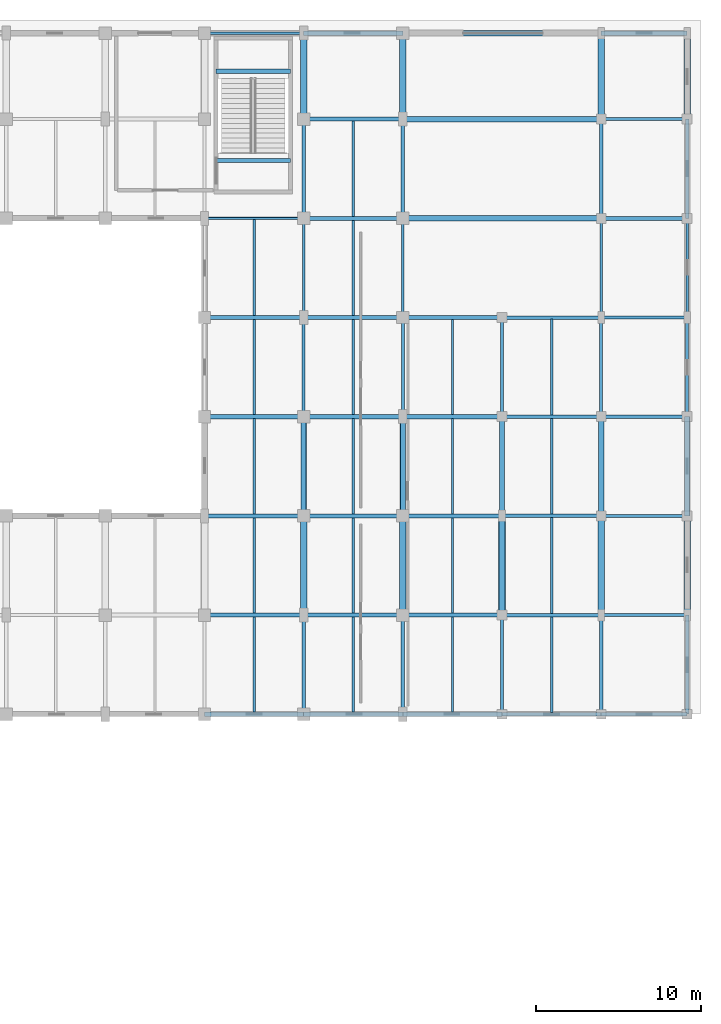
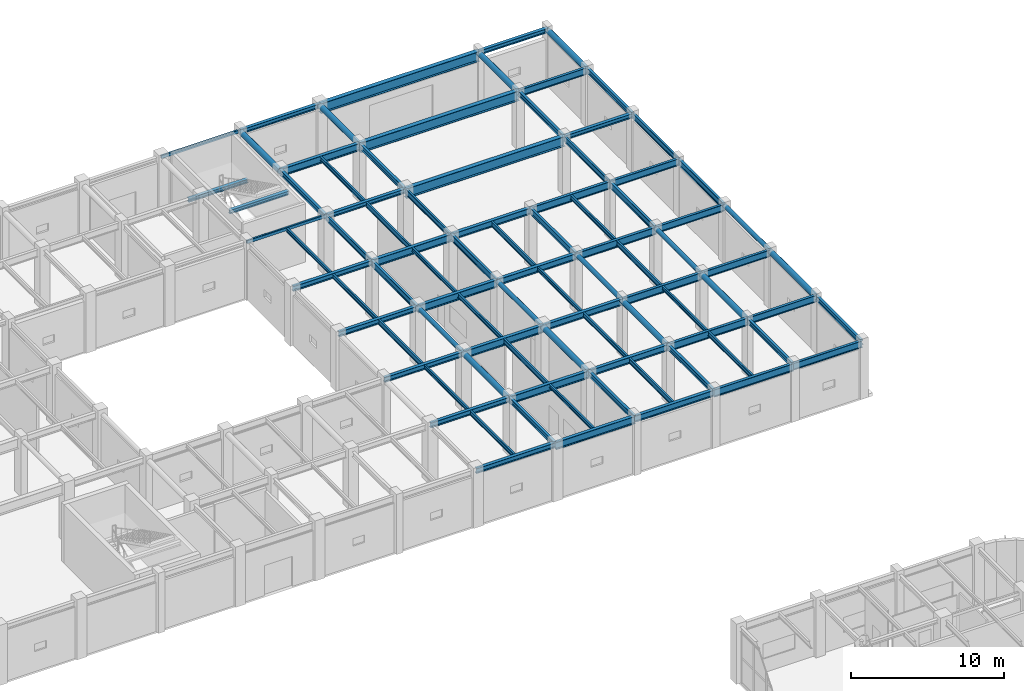
# One storey, part 32 of 76: 89 beams.
"""IFC4 building model written with IfcOpenShell, lengths in metres."""

from ifc_helpers import new_model, si_unit, direction, frame, origin, origin_2d, place, context, subcontext, project, spatial, hollow_rectangle, hollow_circle, i_section, extrude, material, material_profile, profile_set, type_object, element, save


model = new_model("IFC4")

# Units and contexts
model_context = context("Model", 3, precision=1e-05, world=origin(), true_north=direction((0.0, 1.0)))
body_context = subcontext(model_context, "Body", "Model", "MODEL_VIEW")
ifc_project = project(units=[si_unit("LENGTHUNIT", "METRE"), si_unit("AREAUNIT", "SQUARE_METRE"), si_unit("VOLUMEUNIT", "CUBIC_METRE"), si_unit("PLANEANGLEUNIT", "RADIAN"), si_unit("MASSUNIT", "GRAM", prefix="KILO")], contexts=[model_context])

# Site, building, storey
site_placement = place(None, origin())
site = spatial("IfcSite", under=ifc_project, at=site_placement, CompositionType="ELEMENT")
building_placement = place(site_placement, origin())
building = spatial("IfcBuilding", under=site, at=building_placement, Name="Varnakota Square Police Headquarters", CompositionType="ELEMENT")
storey_placement = place(building_placement, origin())
storey = spatial("IfcBuildingStorey", under=building, at=storey_placement, Name="L00", CompositionType="ELEMENT", Elevation=0.0)

# Beams
ifc_material = material(Name="Steel IS 2062 Grade 350", Category="steel")
ifc_material_profile_1 = material_profile(ifc_material, hollow_circle(Radius=0.161865234375, WallThickness=0.0126953125, at=origin_2d()), Name="CHS 323.9x12.7")
ifc_profile_set_1 = profile_set([ifc_material_profile_1], Name="Steel IS 2062 Grade 350")
beam_type_1 = type_object("IfcBeamType", Name="BM-ARC-CHS324", PredefinedType="BEAM", material=ifc_profile_set_1)
for number, where, z_axis, x_axis, name in (
    (1, (138.0, 81.0, 4.337890625), (0.0, 1.0, 0.0), (-1.0, 0.0, 0.0), "BMG-L00-1126"),
    (2, (144.0, 81.0, 4.337890625), (0.0, 1.0, 0.0), (-1.0, 0.0, 0.0), "BMG-L00-1140"),
    (3, (150.0, 81.0, 4.337890625), (0.0, 1.0, 0.0), (-1.0, 0.0, 0.0), "BMG-L00-1154"),
    (4, (156.0, 81.0, 4.337890625), (0.0, 1.0, 0.0), (-1.0, 0.0, 0.0), "BMG-L00-1163"),
    (5, (161.199951171875, 81.0, 4.337890625), (0.0, 1.0, 0.0), (-1.0, 0.0, 0.0), "BMG-L00-1175"),
):
    element("IfcBeam", number, at=place(storey_placement, frame(where, z_axis=z_axis, x_axis=x_axis)), inside=storey, type_object=beam_type_1, Name=name, PredefinedType="BEAM", context=body_context, shape_type="SweptSolid", body=[
        extrude(hollow_circle(Radius=0.161865234375, WallThickness=0.0126953125, at=origin_2d()), origin(), (0.0, 0.0, 1.0), 6.0),
    ])
ifc_material_profile_2 = material_profile(ifc_material, hollow_circle(Radius=0.203125, WallThickness=0.01611328125, at=origin_2d()), Name="CHS 406.4x16.0")
ifc_profile_set_2 = profile_set([ifc_material_profile_2], Name="Steel IS 2062 Grade 350")
beam_type_2 = type_object("IfcBeamType", Name="BM-ARC-CHS406", PredefinedType="BEAM", material=ifc_profile_set_2)
beam_1_placement = place(storey_placement, frame((138.0, 75.0, 4.296875), z_axis=(0.0, 1.0, 0.0), x_axis=(-1.0, 0.0, 0.0)))
element("IfcBeam", 6, at=beam_1_placement, inside=storey, type_object=beam_type_2, Name="BMG-L00-1125", PredefinedType="BEAM", context=body_context, shape_type="SweptSolid", body=[
    extrude(hollow_circle(Radius=0.203125, WallThickness=0.01611328125, at=origin_2d()), origin(), (0.0, 0.0, 1.0), 6.0),
])
beam_2_placement = place(storey_placement, frame((138.0, 105.0, 4.296875), z_axis=(0.0, 1.0, 0.0), x_axis=(-1.0, 0.0, 0.0)))
element("IfcBeam", 7, at=beam_2_placement, inside=storey, type_object=beam_type_2, Name="BMG-L00-1130", PredefinedType="BEAM", context=body_context, shape_type="SweptSolid", body=[
    extrude(hollow_circle(Radius=0.203125, WallThickness=0.01611328125, at=origin_2d()), origin(), (0.0, 0.0, 1.0), 5.199951171875),
])
beam_3_placement = place(storey_placement, frame((144.0, 75.0, 4.296875), z_axis=(0.0, 1.0, 0.0), x_axis=(-1.0, 0.0, 0.0)))
element("IfcBeam", 8, at=beam_3_placement, inside=storey, type_object=beam_type_2, Name="BMG-L00-1139", PredefinedType="BEAM", context=body_context, shape_type="SweptSolid", body=[
    extrude(hollow_circle(Radius=0.203125, WallThickness=0.01611328125, at=origin_2d()), origin(), (0.0, 0.0, 1.0), 6.0),
])
beam_4_placement = place(storey_placement, frame((144.0, 105.0, 4.296875), z_axis=(0.0, 1.0, 0.0), x_axis=(-1.0, 0.0, 0.0)))
element("IfcBeam", 9, at=beam_4_placement, inside=storey, type_object=beam_type_2, Name="BMG-L00-1144", PredefinedType="BEAM", context=body_context, shape_type="SweptSolid", body=[
    extrude(hollow_circle(Radius=0.203125, WallThickness=0.01611328125, at=origin_2d()), origin(), (0.0, 0.0, 1.0), 5.199951171875),
])
for number, where, z_axis, x_axis, name in (
    (10, (150.0, 75.0, 4.296875), (0.0, 1.0, 0.0), (-1.0, 0.0, 0.0), "BMG-L00-1153"),
    (11, (156.0, 75.0, 4.296875), (0.0, 1.0, 0.0), (-1.0, 0.0, 0.0), "BMG-L00-1162"),
):
    element("IfcBeam", number, at=place(storey_placement, frame(where, z_axis=z_axis, x_axis=x_axis)), inside=storey, type_object=beam_type_2, Name=name, PredefinedType="BEAM", context=body_context, shape_type="SweptSolid", body=[
        extrude(hollow_circle(Radius=0.203125, WallThickness=0.01611328125, at=origin_2d()), origin(), (0.0, 0.0, 1.0), 6.0),
    ])
beam_5_placement = place(storey_placement, frame((156.0, 105.0, 4.296875), z_axis=(0.0, 1.0, 0.0), x_axis=(-1.0, 0.0, 0.0)))
element("IfcBeam", 12, at=beam_5_placement, inside=storey, type_object=beam_type_2, Name="BMG-L00-1167", PredefinedType="BEAM", context=body_context, shape_type="SweptSolid", body=[
    extrude(hollow_circle(Radius=0.203125, WallThickness=0.01611328125, at=origin_2d()), origin(), (0.0, 0.0, 1.0), 5.199951171875),
])
beam_6_placement = place(storey_placement, frame((161.199951171875, 75.0, 4.296875), z_axis=(0.0, 1.0, 0.0), x_axis=(-1.0, 0.0, 0.0)))
element("IfcBeam", 13, at=beam_6_placement, inside=storey, type_object=beam_type_2, Name="BMG-L00-1174", PredefinedType="BEAM", context=body_context, shape_type="SweptSolid", body=[
    extrude(hollow_circle(Radius=0.203125, WallThickness=0.01611328125, at=origin_2d()), origin(), (0.0, 0.0, 1.0), 6.0),
])
beam_7_placement = place(storey_placement, frame((161.199951171875, 105.0, 4.296875), z_axis=(0.0, 1.0, 0.0), x_axis=(-1.0, 0.0, 0.0)))
element("IfcBeam", 14, at=beam_7_placement, inside=storey, type_object=beam_type_2, Name="BMG-L00-1179", PredefinedType="BEAM", context=body_context, shape_type="SweptSolid", body=[
    extrude(hollow_circle(Radius=0.203125, WallThickness=0.01611328125, at=origin_2d()), origin(), (0.0, 0.0, 1.0), 5.199951171875),
])
ifc_material_profile_3 = material_profile(ifc_material, i_section(OverallWidth=0.320068359375, OverallDepth=0.800048828125, WebThickness=0.01611328125, FlangeThickness=0.028076171875, at=origin_2d()), Name="BPG 800x320")
ifc_profile_set_3 = profile_set([ifc_material_profile_3], Name="Steel IS 2062 Grade 350")
beam_type_3 = type_object("IfcBeamType", Name="BM-BPG800", PredefinedType="BEAM", material=ifc_profile_set_3)
for number, where, z_axis, x_axis, name in (
    (15, (144.0, 99.0, 4.10009765625), (1.0, 0.0, 0.0), (0.0, 1.0, 0.0), "BMG-L00-0905"),
    (16, (144.0, 105.0, 4.10009765625), (1.0, 0.0, 0.0), (0.0, 1.0, 0.0), "BMG-L00-0916"),
    (17, (144.0, 110.199951171875, 4.10009765625), (1.0, 0.0, 0.0), (0.0, 1.0, 0.0), "BMG-L00-0932"),
):
    element("IfcBeam", number, at=place(storey_placement, frame(where, z_axis=z_axis, x_axis=x_axis)), inside=storey, type_object=beam_type_3, Name=name, PredefinedType="BEAM", context=body_context, shape_type="SweptSolid", body=[
        extrude(i_section(OverallWidth=0.320068359375, OverallDepth=0.800048828125, WebThickness=0.01611328125, FlangeThickness=0.028076171875, at=origin_2d()), origin(), (0.0, 0.0, 1.0), 12.0),
    ])
ifc_material_profile_4 = material_profile(ifc_material, hollow_rectangle(XDim=0.14990234375, YDim=0.25, WallThickness=0.010009765625, InnerFilletRadius=0.010009765625, OuterFilletRadius=0.02001953125, at=origin_2d()), Name="RHS 250x150x10")
ifc_profile_set_4 = profile_set([ifc_material_profile_4], Name="Steel IS 2062 Grade 350")
beam_type_4 = type_object("IfcBeamType", Name="BM-CBEAM-RHS250", PredefinedType="BEAM", material=ifc_profile_set_4)
for number, where, z_axis, x_axis, name in (
    (18, (132.0, 99.0, 4.375), (1.0, 0.0, 0.0), (0.0, 1.0, 0.0), "BMG-L00-0903"),
    (19, (132.0, 110.199951171875, 4.375), (1.0, 0.0, 0.0), (0.0, 1.0, 0.0), "BMG-L00-0930"),
):
    element("IfcBeam", number, at=place(storey_placement, frame(where, z_axis=z_axis, x_axis=x_axis)), inside=storey, type_object=beam_type_4, Name=name, PredefinedType="BEAM", context=body_context, shape_type="SweptSolid", body=[
        extrude(hollow_rectangle(XDim=0.14990234375, YDim=0.25, WallThickness=0.010009765625, InnerFilletRadius=0.010009765625, OuterFilletRadius=0.02001953125, at=origin_2d()), origin(), (0.0, 0.0, 1.0), 6.0),
    ])
ifc_material_profile_5 = material_profile(ifc_material, i_section(OverallWidth=0.25, OverallDepth=0.300048828125, WebThickness=0.009521484375, FlangeThickness=0.010498046875, FilletRadius=0.011962890625, at=origin_2d()), Name="ISHB 300")
ifc_profile_set_5 = profile_set([ifc_material_profile_5], Name="Steel IS 2062 Grade 350")
beam_type_5 = type_object("IfcBeamType", Name="BM-ISHB300", PredefinedType="BEAM", material=ifc_profile_set_5)
for number, where, z_axis, x_axis, name in (
    (20, (132.699951171875, 107.900634765625, 2.092041015625), (1.0, 0.0, 0.0), (0.0, 1.0, 0.0), "Stair landing support beam BM-LND-0089"),
    (21, (132.699951171875, 102.5, 4.429931640625), (1.0, 0.0, 0.0), (0.0, 1.0, 0.0), "Stair landing support beam BM-LND-0090"),
):
    element("IfcBeam", number, at=place(storey_placement, frame(where, z_axis=z_axis, x_axis=x_axis)), inside=storey, type_object=beam_type_5, Name=name, PredefinedType="BEAM", context=body_context, shape_type="SweptSolid", body=[
        extrude(i_section(OverallWidth=0.25, OverallDepth=0.300048828125, WebThickness=0.009521484375, FlangeThickness=0.010498046875, FilletRadius=0.011962890625, at=origin_2d()), origin(), (0.0, 0.0, 1.0), 4.5),
    ])
ifc_material_profile_6 = material_profile(ifc_material, i_section(OverallWidth=0.25, OverallDepth=0.35009765625, WebThickness=0.010009765625, FlangeThickness=0.01171875, FilletRadius=0.011962890625, at=origin_2d()), Name="ISHB 350")
ifc_profile_set_6 = profile_set([ifc_material_profile_6], Name="Steel IS 2062 Grade 350")
beam_type_6 = type_object("IfcBeamType", Name="BM-ISHB350", PredefinedType="BEAM", material=ifc_profile_set_6)
beam_8_placement = place(storey_placement, frame((138.0, 99.0, 4.324951171875), z_axis=(1.0, 0.0, 0.0), x_axis=(0.0, 1.0, 0.0)))
element("IfcBeam", 22, at=beam_8_placement, inside=storey, type_object=beam_type_6, Name="BMG-L00-0904", PredefinedType="BEAM", context=body_context, shape_type="SweptSolid", body=[
    extrude(i_section(OverallWidth=0.25, OverallDepth=0.35009765625, WebThickness=0.010009765625, FlangeThickness=0.01171875, FilletRadius=0.011962890625, at=origin_2d()), origin(), (0.0, 0.0, 1.0), 6.0),
])
beam_9_placement = place(storey_placement, frame((156.0, 99.0, 4.324951171875), z_axis=(1.0, 0.0, 0.0), x_axis=(0.0, 1.0, 0.0)))
element("IfcBeam", 23, at=beam_9_placement, inside=storey, type_object=beam_type_6, Name="BMG-L00-0906", PredefinedType="BEAM", context=body_context, shape_type="SweptSolid", body=[
    extrude(i_section(OverallWidth=0.25, OverallDepth=0.35009765625, WebThickness=0.010009765625, FlangeThickness=0.01171875, FilletRadius=0.011962890625, at=origin_2d()), origin(), (0.0, 0.0, 1.0), 5.199951171875),
])
beam_10_placement = place(storey_placement, frame((138.0, 110.199951171875, 4.324951171875), z_axis=(1.0, 0.0, 0.0), x_axis=(0.0, 1.0, 0.0)))
element("IfcBeam", 24, at=beam_10_placement, inside=storey, type_object=beam_type_6, Name="BMG-L00-0931", PredefinedType="BEAM", context=body_context, shape_type="SweptSolid", body=[
    extrude(i_section(OverallWidth=0.25, OverallDepth=0.35009765625, WebThickness=0.010009765625, FlangeThickness=0.01171875, FilletRadius=0.011962890625, at=origin_2d()), origin(), (0.0, 0.0, 1.0), 6.0),
])
beam_11_placement = place(storey_placement, frame((156.0, 110.199951171875, 4.324951171875), z_axis=(1.0, 0.0, 0.0), x_axis=(0.0, 1.0, 0.0)))
element("IfcBeam", 25, at=beam_11_placement, inside=storey, type_object=beam_type_6, Name="BMG-L00-0933", PredefinedType="BEAM", context=body_context, shape_type="SweptSolid", body=[
    extrude(i_section(OverallWidth=0.25, OverallDepth=0.35009765625, WebThickness=0.010009765625, FlangeThickness=0.01171875, FilletRadius=0.011962890625, at=origin_2d()), origin(), (0.0, 0.0, 1.0), 5.199951171875),
])
ifc_material_profile_7 = material_profile(ifc_material, i_section(OverallWidth=0.25, OverallDepth=0.39990234375, WebThickness=0.010498046875, FlangeThickness=0.0126953125, FilletRadius=0.013916015625, at=origin_2d()), Name="ISHB 400")
ifc_profile_set_7 = profile_set([ifc_material_profile_7], Name="Steel IS 2062 Grade 350")
beam_type_7 = type_object("IfcBeamType", Name="BM-ISHB400", PredefinedType="BEAM", material=ifc_profile_set_7)
for number, where, z_axis, x_axis, name in (
    (26, (132.0, 69.0, 4.300048828125), (1.0, 0.0, 0.0), (0.0, 1.0, 0.0), "BMG-L00-0835"),
    (27, (132.0, 75.0, 4.300048828125), (1.0, 0.0, 0.0), (0.0, 1.0, 0.0), "BMG-L00-0850"),
    (28, (132.0, 81.0, 4.300048828125), (1.0, 0.0, 0.0), (0.0, 1.0, 0.0), "BMG-L00-0866"),
    (29, (132.0, 87.0, 4.300048828125), (1.0, 0.0, 0.0), (0.0, 1.0, 0.0), "BMG-L00-0880"),
    (30, (132.0, 93.0, 4.300048828125), (1.0, 0.0, 0.0), (0.0, 1.0, 0.0), "BMG-L00-0886"),
):
    element("IfcBeam", number, at=place(storey_placement, frame(where, z_axis=z_axis, x_axis=x_axis)), inside=storey, type_object=beam_type_7, Name=name, PredefinedType="BEAM", context=body_context, shape_type="SweptSolid", body=[
        extrude(i_section(OverallWidth=0.25, OverallDepth=0.39990234375, WebThickness=0.010498046875, FlangeThickness=0.0126953125, FilletRadius=0.013916015625, at=origin_2d()), origin(), (0.0, 0.0, 1.0), 6.0),
    ])
ifc_material_profile_8 = material_profile(ifc_material, i_section(OverallWidth=0.139892578125, OverallDepth=0.300048828125, WebThickness=0.0078125, FlangeThickness=0.01318359375, FilletRadius=0.013916015625, at=origin_2d()), Name="ISMB 300")
ifc_profile_set_8 = profile_set([ifc_material_profile_8], Name="Steel IS 2062 Grade 350")
beam_type_8 = type_object("IfcBeamType", Name="BM-ISMB300", PredefinedType="JOIST", material=ifc_profile_set_8)
beam_12_placement = place(storey_placement, frame((135.0, 75.123046875, 4.35009765625), z_axis=(0.0, 1.0, 0.0), x_axis=(-1.0, 0.0, 0.0)))
element("IfcBeam", 31, at=beam_12_placement, inside=storey, type_object=beam_type_8, Name="BMG-L00-1275", PredefinedType="JOIST", context=body_context, shape_type="SweptSolid", body=[
    extrude(i_section(OverallWidth=0.139892578125, OverallDepth=0.300048828125, WebThickness=0.0078125, FlangeThickness=0.01318359375, FilletRadius=0.013916015625, at=origin_2d()), origin(), (0.0, 0.0, 1.0), 5.75390625),
])
beam_13_placement = place(storey_placement, frame((135.0, 93.123046875, 4.35009765625), z_axis=(0.0, 1.0, 0.0), x_axis=(-1.0, 0.0, 0.0)))
element("IfcBeam", 32, at=beam_13_placement, inside=storey, type_object=beam_type_8, Name="BMG-L00-1278", PredefinedType="JOIST", context=body_context, shape_type="SweptSolid", body=[
    extrude(i_section(OverallWidth=0.139892578125, OverallDepth=0.300048828125, WebThickness=0.0078125, FlangeThickness=0.01318359375, FilletRadius=0.013916015625, at=origin_2d()), origin(), (0.0, 0.0, 1.0), 5.803955078125),
])
for number, where, z_axis, x_axis, name in (
    (33, (141.0, 69.123046875, 4.35009765625), (0.0, 1.0, 0.0), (-1.0, 0.0, 0.0), "BMG-L00-1282"),
    (34, (141.0, 87.123046875, 4.35009765625), (0.0, 1.0, 0.0), (-1.0, 0.0, 0.0), "BMG-L00-1285"),
    (35, (147.0, 81.123046875, 4.35009765625), (0.0, 1.0, 0.0), (-1.0, 0.0, 0.0), "BMG-L00-1296"),
):
    element("IfcBeam", number, at=place(storey_placement, frame(where, z_axis=z_axis, x_axis=x_axis)), inside=storey, type_object=beam_type_8, Name=name, PredefinedType="JOIST", context=body_context, shape_type="SweptSolid", body=[
        extrude(i_section(OverallWidth=0.139892578125, OverallDepth=0.300048828125, WebThickness=0.0078125, FlangeThickness=0.01318359375, FilletRadius=0.013916015625, at=origin_2d()), origin(), (0.0, 0.0, 1.0), 5.75390625),
    ])
beam_14_placement = place(storey_placement, frame((153.0, 75.10302734375, 4.35009765625), z_axis=(0.0, 1.0, 0.0), x_axis=(-1.0, 0.0, 0.0)))
element("IfcBeam", 36, at=beam_14_placement, inside=storey, type_object=beam_type_8, Name="BMG-L00-1304", PredefinedType="JOIST", context=body_context, shape_type="SweptSolid", body=[
    extrude(i_section(OverallWidth=0.139892578125, OverallDepth=0.300048828125, WebThickness=0.0078125, FlangeThickness=0.01318359375, FilletRadius=0.013916015625, at=origin_2d()), origin(), (0.0, 0.0, 1.0), 5.7939453125),
])
ifc_material_profile_9 = material_profile(ifc_material, i_section(OverallWidth=0.139892578125, OverallDepth=0.35009765625, WebThickness=0.008056640625, FlangeThickness=0.01416015625, FilletRadius=0.013916015625, at=origin_2d()), Name="ISMB 350")
ifc_profile_set_9 = profile_set([ifc_material_profile_9], Name="Steel IS 2062 Grade 350")
beam_type_9 = type_object("IfcBeamType", Name="BM-ISMB350", PredefinedType="JOIST", material=ifc_profile_set_9)
for number, where, z_axis, x_axis, name in (
    (37, (135.0, 69.123046875, 4.324951171875), (0.0, 1.0, 0.0), (-1.0, 0.0, 0.0), "BMG-L00-1274"),
    (38, (135.0, 87.123046875, 4.324951171875), (0.0, 1.0, 0.0), (-1.0, 0.0, 0.0), "BMG-L00-1277"),
    (39, (141.0, 81.123046875, 4.324951171875), (0.0, 1.0, 0.0), (-1.0, 0.0, 0.0), "BMG-L00-1284"),
    (40, (141.0, 99.123046875, 4.324951171875), (0.0, 1.0, 0.0), (-1.0, 0.0, 0.0), "BMG-L00-1287"),
    (41, (147.0, 75.123046875, 4.324951171875), (0.0, 1.0, 0.0), (-1.0, 0.0, 0.0), "BMG-L00-1295"),
):
    element("IfcBeam", number, at=place(storey_placement, frame(where, z_axis=z_axis, x_axis=x_axis)), inside=storey, type_object=beam_type_9, Name=name, PredefinedType="JOIST", context=body_context, shape_type="SweptSolid", body=[
        extrude(i_section(OverallWidth=0.139892578125, OverallDepth=0.35009765625, WebThickness=0.008056640625, FlangeThickness=0.01416015625, FilletRadius=0.013916015625, at=origin_2d()), origin(), (0.0, 0.0, 1.0), 5.75390625),
    ])
for number, where, z_axis, x_axis, name in (
    (42, (153.0, 69.10302734375, 4.324951171875), (0.0, 1.0, 0.0), (-1.0, 0.0, 0.0), "BMG-L00-1303"),
    (43, (153.0, 87.10302734375, 4.324951171875), (0.0, 1.0, 0.0), (-1.0, 0.0, 0.0), "BMG-L00-1306"),
):
    element("IfcBeam", number, at=place(storey_placement, frame(where, z_axis=z_axis, x_axis=x_axis)), inside=storey, type_object=beam_type_9, Name=name, PredefinedType="JOIST", context=body_context, shape_type="SweptSolid", body=[
        extrude(i_section(OverallWidth=0.139892578125, OverallDepth=0.35009765625, WebThickness=0.008056640625, FlangeThickness=0.01416015625, FilletRadius=0.013916015625, at=origin_2d()), origin(), (0.0, 0.0, 1.0), 5.7939453125),
    ])
ifc_material_profile_10 = material_profile(ifc_material, i_section(OverallWidth=0.139892578125, OverallDepth=0.39990234375, WebThickness=0.0087890625, FlangeThickness=0.01611328125, FilletRadius=0.013916015625, at=origin_2d()), Name="ISMB 400")
ifc_profile_set_10 = profile_set([ifc_material_profile_10], Name="Steel IS 2062 Grade 350")
beam_type_10 = type_object("IfcBeamType", Name="BM-ISMB400", PredefinedType="JOIST", material=ifc_profile_set_10)
for number, where, z_axis, x_axis, name in (
    (44, (135.0, 81.123046875, 4.300048828125), (0.0, 1.0, 0.0), (-1.0, 0.0, 0.0), "BMG-L00-1276"),
    (45, (141.0, 75.123046875, 4.300048828125), (0.0, 1.0, 0.0), (-1.0, 0.0, 0.0), "BMG-L00-1283"),
    (46, (141.0, 93.123046875, 4.300048828125), (0.0, 1.0, 0.0), (-1.0, 0.0, 0.0), "BMG-L00-1286"),
    (47, (147.0, 69.123046875, 4.300048828125), (0.0, 1.0, 0.0), (-1.0, 0.0, 0.0), "BMG-L00-1294"),
    (48, (147.0, 87.123046875, 4.300048828125), (0.0, 1.0, 0.0), (-1.0, 0.0, 0.0), "BMG-L00-1297"),
):
    element("IfcBeam", number, at=place(storey_placement, frame(where, z_axis=z_axis, x_axis=x_axis)), inside=storey, type_object=beam_type_10, Name=name, PredefinedType="JOIST", context=body_context, shape_type="SweptSolid", body=[
        extrude(i_section(OverallWidth=0.139892578125, OverallDepth=0.39990234375, WebThickness=0.0087890625, FlangeThickness=0.01611328125, FilletRadius=0.013916015625, at=origin_2d()), origin(), (0.0, 0.0, 1.0), 5.75390625),
    ])
beam_15_placement = place(storey_placement, frame((153.0, 81.10302734375, 4.300048828125), z_axis=(0.0, 1.0, 0.0), x_axis=(-1.0, 0.0, 0.0)))
element("IfcBeam", 49, at=beam_15_placement, inside=storey, type_object=beam_type_10, Name="BMG-L00-1305", PredefinedType="JOIST", context=body_context, shape_type="SweptSolid", body=[
    extrude(i_section(OverallWidth=0.139892578125, OverallDepth=0.39990234375, WebThickness=0.0087890625, FlangeThickness=0.01611328125, FilletRadius=0.013916015625, at=origin_2d()), origin(), (0.0, 0.0, 1.0), 5.7939453125),
])
ifc_material_profile_11 = material_profile(ifc_material, i_section(OverallWidth=0.14990234375, OverallDepth=0.449951171875, WebThickness=0.009521484375, FlangeThickness=0.017333984375, FilletRadius=0.014892578125, at=origin_2d()), Name="ISMB 450")
ifc_profile_set_11 = profile_set([ifc_material_profile_11], Name="Steel IS 2062 Grade 350")
beam_type_11 = type_object("IfcBeamType", Name="BM-ISMB450", PredefinedType="BEAM", material=ifc_profile_set_11)
for number, where, z_axis, x_axis, name in (
    (50, (138.0, 93.0, 4.27490234375), (0.0, 1.0, 0.0), (-1.0, 0.0, 0.0), "BMG-L00-1128"),
    (51, (144.0, 93.0, 4.27490234375), (0.0, 1.0, 0.0), (-1.0, 0.0, 0.0), "BMG-L00-1142"),
    (52, (156.0, 93.0, 4.27490234375), (0.0, 1.0, 0.0), (-1.0, 0.0, 0.0), "BMG-L00-1165"),
    (53, (161.199951171875, 93.0, 4.27490234375), (0.0, 1.0, 0.0), (-1.0, 0.0, 0.0), "BMG-L00-1177"),
):
    element("IfcBeam", number, at=place(storey_placement, frame(where, z_axis=z_axis, x_axis=x_axis)), inside=storey, type_object=beam_type_11, Name=name, PredefinedType="BEAM", context=body_context, shape_type="SweptSolid", body=[
        extrude(i_section(OverallWidth=0.14990234375, OverallDepth=0.449951171875, WebThickness=0.009521484375, FlangeThickness=0.017333984375, FilletRadius=0.014892578125, at=origin_2d()), origin(), (0.0, 0.0, 1.0), 6.0),
    ])
ifc_material_profile_12 = material_profile(ifc_material, i_section(OverallWidth=0.179931640625, OverallDepth=0.5, WebThickness=0.01025390625, FlangeThickness=0.01708984375, FilletRadius=0.01708984375, at=origin_2d()), Name="ISMB 500")
ifc_profile_set_12 = profile_set([ifc_material_profile_12], Name="Steel IS 2062 Grade 350")
beam_type_12 = type_object("IfcBeamType", Name="BM-ISMB500", PredefinedType="BEAM", material=ifc_profile_set_12)
for number, where, z_axis, x_axis, name in (
    (54, (138.0, 87.0, 4.25), (0.0, 1.0, 0.0), (-1.0, 0.0, 0.0), "BMG-L00-1127"),
    (55, (144.0, 87.0, 4.25), (0.0, 1.0, 0.0), (-1.0, 0.0, 0.0), "BMG-L00-1141"),
    (56, (150.0, 87.0, 4.25), (0.0, 1.0, 0.0), (-1.0, 0.0, 0.0), "BMG-L00-1155"),
    (57, (156.0, 87.0, 4.25), (0.0, 1.0, 0.0), (-1.0, 0.0, 0.0), "BMG-L00-1164"),
    (58, (161.199951171875, 87.0, 4.25), (0.0, 1.0, 0.0), (-1.0, 0.0, 0.0), "BMG-L00-1176"),
):
    element("IfcBeam", number, at=place(storey_placement, frame(where, z_axis=z_axis, x_axis=x_axis)), inside=storey, type_object=beam_type_12, Name=name, PredefinedType="BEAM", context=body_context, shape_type="SweptSolid", body=[
        extrude(i_section(OverallWidth=0.179931640625, OverallDepth=0.5, WebThickness=0.01025390625, FlangeThickness=0.01708984375, FilletRadius=0.01708984375, at=origin_2d()), origin(), (0.0, 0.0, 1.0), 6.0),
    ])
ifc_material_profile_13 = material_profile(ifc_material, i_section(OverallWidth=0.18994140625, OverallDepth=0.550048828125, WebThickness=0.01123046875, FlangeThickness=0.019287109375, FilletRadius=0.01806640625, at=origin_2d()), Name="ISMB 550")
ifc_profile_set_13 = profile_set([ifc_material_profile_13], Name="Steel IS 2062 Grade 350")
beam_type_13 = type_object("IfcBeamType", Name="BM-ISMB550", PredefinedType="BEAM", material=ifc_profile_set_13)
for number, where, z_axis, x_axis, name in (
    (59, (156.0, 69.0, 4.22509765625), (1.0, 0.0, 0.0), (0.0, 1.0, 0.0), "BMG-L00-0839"),
    (60, (156.0, 75.0, 4.22509765625), (1.0, 0.0, 0.0), (0.0, 1.0, 0.0), "BMG-L00-0854"),
    (61, (156.0, 81.0, 4.22509765625), (1.0, 0.0, 0.0), (0.0, 1.0, 0.0), "BMG-L00-0870"),
    (62, (156.0, 87.0, 4.22509765625), (1.0, 0.0, 0.0), (0.0, 1.0, 0.0), "BMG-L00-0884"),
    (63, (156.0, 93.0, 4.22509765625), (1.0, 0.0, 0.0), (0.0, 1.0, 0.0), "BMG-L00-0890"),
    (64, (156.0, 105.0, 4.22509765625), (1.0, 0.0, 0.0), (0.0, 1.0, 0.0), "BMG-L00-0917"),
):
    element("IfcBeam", number, at=place(storey_placement, frame(where, z_axis=z_axis, x_axis=x_axis)), inside=storey, type_object=beam_type_13, Name=name, PredefinedType="BEAM", context=body_context, shape_type="SweptSolid", body=[
        extrude(i_section(OverallWidth=0.18994140625, OverallDepth=0.550048828125, WebThickness=0.01123046875, FlangeThickness=0.019287109375, FilletRadius=0.01806640625, at=origin_2d()), origin(), (0.0, 0.0, 1.0), 5.199951171875),
    ])
ifc_material_profile_14 = material_profile(ifc_material, i_section(OverallWidth=0.2099609375, OverallDepth=0.60009765625, WebThickness=0.011962890625, FlangeThickness=0.020751953125, FilletRadius=0.02001953125, at=origin_2d()), Name="ISMB 600")
ifc_profile_set_14 = profile_set([ifc_material_profile_14], Name="Steel IS 2062 Grade 350")
beam_type_14 = type_object("IfcBeamType", Name="BM-ISMB600", PredefinedType="BEAM", material=ifc_profile_set_14)
for number, where, z_axis, x_axis, name in (
    (65, (150.0, 69.0, 4.199951171875), (1.0, 0.0, 0.0), (0.0, 1.0, 0.0), "BMG-L00-0838"),
    (66, (150.0, 75.0, 4.199951171875), (1.0, 0.0, 0.0), (0.0, 1.0, 0.0), "BMG-L00-0853"),
    (67, (150.0, 81.0, 4.199951171875), (1.0, 0.0, 0.0), (0.0, 1.0, 0.0), "BMG-L00-0869"),
    (68, (150.0, 87.0, 4.199951171875), (1.0, 0.0, 0.0), (0.0, 1.0, 0.0), "BMG-L00-0883"),
    (69, (150.0, 93.0, 4.199951171875), (1.0, 0.0, 0.0), (0.0, 1.0, 0.0), "BMG-L00-0889"),
):
    element("IfcBeam", number, at=place(storey_placement, frame(where, z_axis=z_axis, x_axis=x_axis)), inside=storey, type_object=beam_type_14, Name=name, PredefinedType="BEAM", context=body_context, shape_type="SweptSolid", body=[
        extrude(i_section(OverallWidth=0.2099609375, OverallDepth=0.60009765625, WebThickness=0.011962890625, FlangeThickness=0.020751953125, FilletRadius=0.02001953125, at=origin_2d()), origin(), (0.0, 0.0, 1.0), 6.0),
    ])
ifc_material_profile_15 = material_profile(ifc_material, i_section(OverallWidth=0.199951171875, OverallDepth=0.39990234375, WebThickness=0.008544921875, FlangeThickness=0.012939453125, FilletRadius=0.012939453125, at=origin_2d()), Name="ISWB 400")
ifc_profile_set_15 = profile_set([ifc_material_profile_15], Name="Steel IS 2062 Grade 350")
beam_type_15 = type_object("IfcBeamType", Name="BM-ISWB400", PredefinedType="BEAM", material=ifc_profile_set_15)
for number, where, z_axis, x_axis, name in (
    (70, (138.0, 69.0, 4.300048828125), (0.0, 1.0, 0.0), (-1.0, 0.0, 0.0), "BMG-L00-1124"),
    (71, (138.0, 99.0, 4.300048828125), (0.0, 1.0, 0.0), (-1.0, 0.0, 0.0), "BMG-L00-1129"),
    (72, (144.0, 69.0, 4.300048828125), (0.0, 1.0, 0.0), (-1.0, 0.0, 0.0), "BMG-L00-1138"),
    (73, (144.0, 99.0, 4.300048828125), (0.0, 1.0, 0.0), (-1.0, 0.0, 0.0), "BMG-L00-1143"),
    (74, (150.0, 69.0, 4.300048828125), (0.0, 1.0, 0.0), (-1.0, 0.0, 0.0), "BMG-L00-1152"),
    (75, (156.0, 69.0, 4.300048828125), (0.0, 1.0, 0.0), (-1.0, 0.0, 0.0), "BMG-L00-1161"),
    (76, (156.0, 99.0, 4.300048828125), (0.0, 1.0, 0.0), (-1.0, 0.0, 0.0), "BMG-L00-1166"),
    (77, (161.199951171875, 69.0, 4.300048828125), (0.0, 1.0, 0.0), (-1.0, 0.0, 0.0), "BMG-L00-1173"),
    (78, (161.199951171875, 99.0, 4.300048828125), (0.0, 1.0, 0.0), (-1.0, 0.0, 0.0), "BMG-L00-1178"),
):
    element("IfcBeam", number, at=place(storey_placement, frame(where, z_axis=z_axis, x_axis=x_axis)), inside=storey, type_object=beam_type_15, Name=name, PredefinedType="BEAM", context=body_context, shape_type="SweptSolid", body=[
        extrude(i_section(OverallWidth=0.199951171875, OverallDepth=0.39990234375, WebThickness=0.008544921875, FlangeThickness=0.012939453125, FilletRadius=0.012939453125, at=origin_2d()), origin(), (0.0, 0.0, 1.0), 6.0),
    ])
ifc_material_profile_16 = material_profile(ifc_material, i_section(OverallWidth=0.25, OverallDepth=0.5, WebThickness=0.010009765625, FlangeThickness=0.0146484375, FilletRadius=0.014892578125, at=origin_2d()), Name="ISWB 500")
ifc_profile_set_16 = profile_set([ifc_material_profile_16], Name="Steel IS 2062 Grade 350")
beam_type_16 = type_object("IfcBeamType", Name="BM-ISWB500", PredefinedType="BEAM", material=ifc_profile_set_16)
for number, where, z_axis, x_axis, name in (
    (79, (144.0, 69.0, 4.25), (1.0, 0.0, 0.0), (0.0, 1.0, 0.0), "BMG-L00-0837"),
    (80, (144.0, 75.0, 4.25), (1.0, 0.0, 0.0), (0.0, 1.0, 0.0), "BMG-L00-0852"),
    (81, (144.0, 81.0, 4.25), (1.0, 0.0, 0.0), (0.0, 1.0, 0.0), "BMG-L00-0868"),
    (82, (144.0, 87.0, 4.25), (1.0, 0.0, 0.0), (0.0, 1.0, 0.0), "BMG-L00-0882"),
    (83, (144.0, 93.0, 4.25), (1.0, 0.0, 0.0), (0.0, 1.0, 0.0), "BMG-L00-0888"),
):
    element("IfcBeam", number, at=place(storey_placement, frame(where, z_axis=z_axis, x_axis=x_axis)), inside=storey, type_object=beam_type_16, Name=name, PredefinedType="BEAM", context=body_context, shape_type="SweptSolid", body=[
        extrude(i_section(OverallWidth=0.25, OverallDepth=0.5, WebThickness=0.010009765625, FlangeThickness=0.0146484375, FilletRadius=0.014892578125, at=origin_2d()), origin(), (0.0, 0.0, 1.0), 6.0),
    ])
ifc_material_profile_17 = material_profile(ifc_material, i_section(OverallWidth=0.25, OverallDepth=0.60009765625, WebThickness=0.01171875, FlangeThickness=0.023681640625, FilletRadius=0.01708984375, at=origin_2d()), Name="ISWB 600")
ifc_profile_set_17 = profile_set([ifc_material_profile_17], Name="Steel IS 2062 Grade 350")
beam_type_17 = type_object("IfcBeamType", Name="BM-ISWB600", PredefinedType="BEAM", material=ifc_profile_set_17)
for number, where, z_axis, x_axis, name in (
    (84, (138.0, 69.0, 4.199951171875), (1.0, 0.0, 0.0), (0.0, 1.0, 0.0), "BMG-L00-0836"),
    (85, (138.0, 75.0, 4.199951171875), (1.0, 0.0, 0.0), (0.0, 1.0, 0.0), "BMG-L00-0851"),
    (86, (138.0, 81.0, 4.199951171875), (1.0, 0.0, 0.0), (0.0, 1.0, 0.0), "BMG-L00-0867"),
    (87, (138.0, 87.0, 4.199951171875), (1.0, 0.0, 0.0), (0.0, 1.0, 0.0), "BMG-L00-0881"),
    (88, (138.0, 93.0, 4.199951171875), (1.0, 0.0, 0.0), (0.0, 1.0, 0.0), "BMG-L00-0887"),
    (89, (138.0, 105.0, 4.199951171875), (1.0, 0.0, 0.0), (0.0, 1.0, 0.0), "BMG-L00-0915"),
):
    element("IfcBeam", number, at=place(storey_placement, frame(where, z_axis=z_axis, x_axis=x_axis)), inside=storey, type_object=beam_type_17, Name=name, PredefinedType="BEAM", context=body_context, shape_type="SweptSolid", body=[
        extrude(i_section(OverallWidth=0.25, OverallDepth=0.60009765625, WebThickness=0.01171875, FlangeThickness=0.023681640625, FilletRadius=0.01708984375, at=origin_2d()), origin(), (0.0, 0.0, 1.0), 6.0),
    ])

save(model, "model.ifc")
